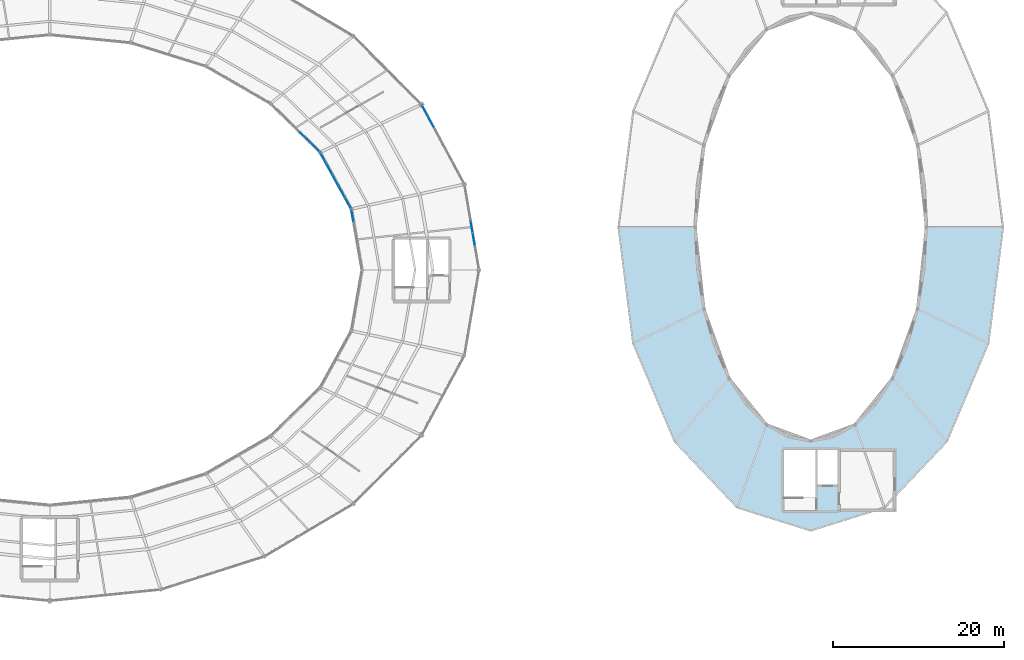
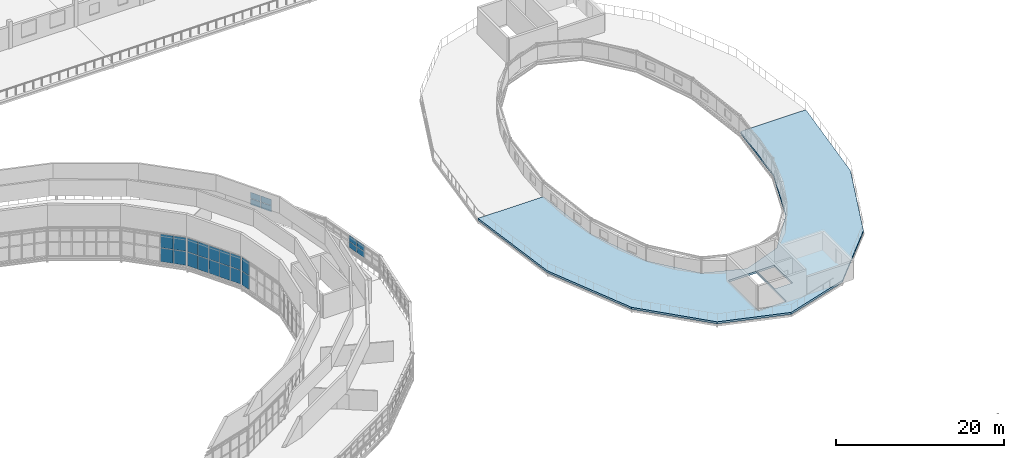
# One storey, part 89 of 123: 24 plates, 1 slab, 5 elements without a shape of their own.
"""IFC4 building model written with IfcOpenShell, lengths in metres."""

from ifc_helpers import new_model, si_unit, direction, frame, origin, origin_2d, place, context, subcontext, project, spatial, polyline, rectangle, outline, extrude, material, layer, layer_set, type_object, element, aggregate, save


model = new_model("IFC4")

# Units and contexts
model_context = context("Model", 3, precision=1e-05, world=origin(), true_north=direction((0.0, 1.0)))
body_context = subcontext(model_context, "Body", "Model", "MODEL_VIEW")
ifc_project = project(units=[si_unit("LENGTHUNIT", "METRE"), si_unit("AREAUNIT", "SQUARE_METRE"), si_unit("VOLUMEUNIT", "CUBIC_METRE"), si_unit("PLANEANGLEUNIT", "RADIAN"), si_unit("MASSUNIT", "GRAM", prefix="KILO")], contexts=[model_context])

# Site, building, storey
site_placement = place(None, origin())
site = spatial("IfcSite", under=ifc_project, at=site_placement, CompositionType="ELEMENT")
building_placement = place(site_placement, origin())
building = spatial("IfcBuilding", under=site, at=building_placement, Name="Kildeholm Park Wholesale Market", CompositionType="ELEMENT")
storey_placement = place(building_placement, frame((0.0, 0.0, 9.60009765625)))
storey = spatial("IfcBuildingStorey", under=building, at=storey_placement, Name="L02", CompositionType="ELEMENT", Elevation=9.60009765625)

# Curtain wall, plates
ifc_material_1 = material(Name="Anodised aluminium and low-E double-glazed glass", Category="aluminium")
curtain_wall_type = type_object("IfcCurtainWallType", Name="Clerestory daylight stick curtain wall CW-02", PredefinedType="NOTDEFINED", material=ifc_material_1)
curtain_wall_1_placement = place(storey_placement, origin())
curtain_wall_1 = element("IfcCurtainWall", 1, at=curtain_wall_1_placement, inside=storey, type_object=curtain_wall_type, Name="Curtain wall CW-V1-IN2-00 CW-0005", PredefinedType="NOTDEFINED")
ifc_material_2 = material(Name="Triple-glazed solar-control glass", Category="glass")
ifc_layer_1 = layer(ifc_material_2, 0.035888671875)
ifc_layer_set_1 = layer_set([ifc_layer_1], Name="Triple-glazed solar-control glass")
plate_type_1 = type_object("IfcPlateType", Name="Curtain-wall panel CWP-2 36 mm", PredefinedType="CURTAIN_PANEL", material=ifc_layer_set_1)
plate_1_placement = place(storey_placement, frame((134.3955078125, 95.8603515625, 0.06005859375), z_axis=(0.0, 0.0, 1.0), x_axis=(-0.172132515628, 0.985073802851, 0.0)))
plate_1 = element("IfcPlate", 2, at=plate_1_placement, type_object=plate_type_1, Name="CW-02 panel 5.1 PLT-0230", PredefinedType="CURTAIN_PANEL", context=body_context, shape_type="SweptSolid", body=[
    extrude(rectangle(XDim=1.339111328125, YDim=0.035888671875, at=origin_2d()), origin(), (0.0, 0.0, 1.0), 1.985107421875),
])
plate_2_placement = place(storey_placement, frame((134.3955078125, 95.8603515625, 2.10498046875), z_axis=(0.0, 0.0, 1.0), x_axis=(-0.172132515628, 0.985073802851, 0.0)))
plate_2 = element("IfcPlate", 3, at=plate_2_placement, type_object=plate_type_1, Name="CW-02 panel 5.2 PLT-0231", PredefinedType="CURTAIN_PANEL", context=body_context, shape_type="SweptSolid", body=[
    extrude(rectangle(XDim=1.339111328125, YDim=0.035888671875, at=origin_2d()), origin(), (0.0, 0.0, 1.0), 1.985107421875),
])
aggregate(curtain_wall_1, [plate_1, plate_2])

curtain_wall_2_placement = place(storey_placement, origin())
curtain_wall_2 = element("IfcCurtainWall", 4, at=curtain_wall_2_placement, inside=storey, type_object=curtain_wall_type, Name="Curtain wall CW-V1-IN2-01 CW-0010", PredefinedType="NOTDEFINED")
plate_3_placement = place(storey_placement, frame((133.875, 97.323486328125, 0.06005859375), z_axis=(0.0, 0.0, 1.0), x_axis=(-0.481749595055, 0.876308922506, 0.0)))
plate_3 = element("IfcPlate", 5, at=plate_3_placement, type_object=plate_type_1, Name="CW-02 panel 1.1 PLT-0282", PredefinedType="CURTAIN_PANEL", context=body_context, shape_type="SweptSolid", body=[
    extrude(rectangle(XDim=1.407958984375, YDim=0.035888671875, at=origin_2d()), origin(), (0.0, 0.0, 1.0), 1.985107421875),
])
plate_4_placement = place(storey_placement, frame((133.875, 97.323486328125, 2.10498046875), z_axis=(0.0, 0.0, 1.0), x_axis=(-0.481749595055, 0.876308922506, 0.0)))
plate_4 = element("IfcPlate", 6, at=plate_4_placement, type_object=plate_type_1, Name="CW-02 panel 1.2 PLT-0283", PredefinedType="CURTAIN_PANEL", context=body_context, shape_type="SweptSolid", body=[
    extrude(rectangle(XDim=1.407958984375, YDim=0.035888671875, at=origin_2d()), origin(), (0.0, 0.0, 1.0), 1.985107421875),
])
plate_5_placement = place(storey_placement, frame((133.16064453125, 98.622802734375, 0.06005859375), z_axis=(0.0, 0.0, 1.0), x_axis=(-0.481749595055, 0.876308922506, 0.0)))
plate_5 = element("IfcPlate", 7, at=plate_5_placement, type_object=plate_type_1, Name="CW-02 panel 2.1 PLT-0284", PredefinedType="CURTAIN_PANEL", context=body_context, shape_type="SweptSolid", body=[
    extrude(rectangle(XDim=1.43798828125, YDim=0.035888671875, at=origin_2d()), origin(), (0.0, 0.0, 1.0), 1.985107421875),
])
plate_6_placement = place(storey_placement, frame((133.16064453125, 98.622802734375, 2.10498046875), z_axis=(0.0, 0.0, 1.0), x_axis=(-0.481749595055, 0.876308922506, 0.0)))
plate_6 = element("IfcPlate", 8, at=plate_6_placement, type_object=plate_type_1, Name="CW-02 panel 2.2 PLT-0285", PredefinedType="CURTAIN_PANEL", context=body_context, shape_type="SweptSolid", body=[
    extrude(rectangle(XDim=1.43798828125, YDim=0.035888671875, at=origin_2d()), origin(), (0.0, 0.0, 1.0), 1.985107421875),
])
plate_7_placement = place(storey_placement, frame((132.43896484375, 99.935546875, 0.06005859375), z_axis=(0.0, 0.0, 1.0), x_axis=(-0.481749595055, 0.876308922506, 0.0)))
plate_7 = element("IfcPlate", 9, at=plate_7_placement, type_object=plate_type_1, Name="CW-02 panel 3.1 PLT-0286", PredefinedType="CURTAIN_PANEL", context=body_context, shape_type="SweptSolid", body=[
    extrude(rectangle(XDim=1.43798828125, YDim=0.035888671875, at=origin_2d()), origin(), (0.0, 0.0, 1.0), 1.985107421875),
])
plate_8_placement = place(storey_placement, frame((132.43896484375, 99.935546875, 2.10498046875), z_axis=(0.0, 0.0, 1.0), x_axis=(-0.481749595055, 0.876308922506, 0.0)))
plate_8 = element("IfcPlate", 10, at=plate_8_placement, type_object=plate_type_1, Name="CW-02 panel 3.2 PLT-0287", PredefinedType="CURTAIN_PANEL", context=body_context, shape_type="SweptSolid", body=[
    extrude(rectangle(XDim=1.43798828125, YDim=0.035888671875, at=origin_2d()), origin(), (0.0, 0.0, 1.0), 1.985107421875),
])
plate_9_placement = place(storey_placement, frame((131.71728515625, 101.248046875, 0.06005859375), z_axis=(0.0, 0.0, 1.0), x_axis=(-0.481749595055, 0.876308922506, 0.0)))
plate_9 = element("IfcPlate", 11, at=plate_9_placement, type_object=plate_type_1, Name="CW-02 panel 4.1 PLT-0288", PredefinedType="CURTAIN_PANEL", context=body_context, shape_type="SweptSolid", body=[
    extrude(rectangle(XDim=1.43798828125, YDim=0.035888671875, at=origin_2d()), origin(), (0.0, 0.0, 1.0), 1.985107421875),
])
plate_10_placement = place(storey_placement, frame((131.71728515625, 101.248046875, 2.10498046875), z_axis=(0.0, 0.0, 1.0), x_axis=(-0.481749595055, 0.876308922506, 0.0)))
plate_10 = element("IfcPlate", 12, at=plate_10_placement, type_object=plate_type_1, Name="CW-02 panel 4.2 PLT-0289", PredefinedType="CURTAIN_PANEL", context=body_context, shape_type="SweptSolid", body=[
    extrude(rectangle(XDim=1.43798828125, YDim=0.035888671875, at=origin_2d()), origin(), (0.0, 0.0, 1.0), 1.985107421875),
])
plate_11_placement = place(storey_placement, frame((131.0029296875, 102.547607421875, 0.06005859375), z_axis=(0.0, 0.0, 1.0), x_axis=(-0.481749595055, 0.876308922506, 0.0)))
plate_11 = element("IfcPlate", 13, at=plate_11_placement, type_object=plate_type_1, Name="CW-02 panel 5.1 PLT-0290", PredefinedType="CURTAIN_PANEL", context=body_context, shape_type="SweptSolid", body=[
    extrude(rectangle(XDim=1.407958984375, YDim=0.035888671875, at=origin_2d()), origin(), (0.0, 0.0, 1.0), 1.985107421875),
])
plate_12_placement = place(storey_placement, frame((131.0029296875, 102.547607421875, 2.10498046875), z_axis=(0.0, 0.0, 1.0), x_axis=(-0.481749595055, 0.876308922506, 0.0)))
plate_12 = element("IfcPlate", 14, at=plate_12_placement, type_object=plate_type_1, Name="CW-02 panel 5.2 PLT-0291", PredefinedType="CURTAIN_PANEL", context=body_context, shape_type="SweptSolid", body=[
    extrude(rectangle(XDim=1.407958984375, YDim=0.035888671875, at=origin_2d()), origin(), (0.0, 0.0, 1.0), 1.985107421875),
])
aggregate(curtain_wall_2, [plate_3, plate_4, plate_5, plate_6, plate_7, plate_8, plate_9, plate_10, plate_11, plate_12])

curtain_wall_3_placement = place(storey_placement, origin())
curtain_wall_3 = element("IfcCurtainWall", 15, at=curtain_wall_3_placement, inside=storey, type_object=curtain_wall_type, Name="Curtain wall CW-V1-IN2-02 CW-0015", PredefinedType="NOTDEFINED")
plate_13_placement = place(storey_placement, frame((130.0009765625, 103.85546875, 0.06005859375), z_axis=(0.0, 0.0, 1.0), x_axis=(-0.713537995789, 0.700616534607, 0.0)))
plate_13 = element("IfcPlate", 16, at=plate_13_placement, type_object=plate_type_1, Name="CW-02 panel 1.1 PLT-0344", PredefinedType="CURTAIN_PANEL", context=body_context, shape_type="SweptSolid", body=[
    extrude(rectangle(XDim=1.519775390625, YDim=0.035888671875, at=origin_2d()), origin(), (0.0, 0.0, 1.0), 1.985107421875),
])
plate_14_placement = place(storey_placement, frame((130.0009765625, 103.85546875, 2.10498046875), z_axis=(0.0, 0.0, 1.0), x_axis=(-0.713537995789, 0.700616534607, 0.0)))
plate_14 = element("IfcPlate", 17, at=plate_14_placement, type_object=plate_type_1, Name="CW-02 panel 1.2 PLT-0345", PredefinedType="CURTAIN_PANEL", context=body_context, shape_type="SweptSolid", body=[
    extrude(rectangle(XDim=1.519775390625, YDim=0.035888671875, at=origin_2d()), origin(), (0.0, 0.0, 1.0), 1.985107421875),
])
plate_15_placement = place(storey_placement, frame((128.863037109375, 104.97265625, 0.06005859375), z_axis=(0.0, 0.0, 1.0), x_axis=(-0.713537995789, 0.700616534607, 0.0)))
plate_15 = element("IfcPlate", 18, at=plate_15_placement, type_object=plate_type_1, Name="CW-02 panel 2.1 PLT-0346", PredefinedType="CURTAIN_PANEL", context=body_context, shape_type="SweptSolid", body=[
    extrude(rectangle(XDim=1.5498046875, YDim=0.035888671875, at=origin_2d()), origin(), (0.0, 0.0, 1.0), 1.985107421875),
])
plate_16_placement = place(storey_placement, frame((128.863037109375, 104.97265625, 2.10498046875), z_axis=(0.0, 0.0, 1.0), x_axis=(-0.713537995789, 0.700616534607, 0.0)))
plate_16 = element("IfcPlate", 19, at=plate_16_placement, type_object=plate_type_1, Name="CW-02 panel 2.2 PLT-0347", PredefinedType="CURTAIN_PANEL", context=body_context, shape_type="SweptSolid", body=[
    extrude(rectangle(XDim=1.5498046875, YDim=0.035888671875, at=origin_2d()), origin(), (0.0, 0.0, 1.0), 1.985107421875),
])
aggregate(curtain_wall_3, [plate_13, plate_14, plate_15, plate_16])

curtain_wall_4_placement = place(storey_placement, origin())
curtain_wall_4 = element("IfcCurtainWall", 20, at=curtain_wall_4_placement, inside=storey, type_object=curtain_wall_type, Name="Curtain wall CW-V1-CL-00 CW-0002", PredefinedType="NOTDEFINED")
ifc_material_3 = material(Name="Fritted solar-control clerestory glass", Category="glass")
ifc_layer_2 = layer(ifc_material_3, 0.031982421875)
ifc_layer_set_2 = layer_set([ifc_layer_2], Name="Fritted solar-control clerestory glass")
plate_type_2 = type_object("IfcPlateType", Name="Curtain-wall panel CWP-4 32 mm", PredefinedType="CURTAIN_PANEL", material=ifc_layer_set_2)
plate_17_placement = place(storey_placement, frame((148.593994140625, 93.08935546875, 1.40966796875), z_axis=(0.0, 0.0, 1.0), x_axis=(-0.168322320564, 0.985732010437, 0.0)))
plate_17 = element("IfcPlate", 21, at=plate_17_placement, type_object=plate_type_2, Name="CW-02 panel 3.1 PLT-0192", PredefinedType="CURTAIN_PANEL", context=body_context, shape_type="SweptSolid", body=[
    extrude(rectangle(XDim=1.38037109375, YDim=0.031982421875, at=origin_2d()), origin(), (0.0, 0.0, 1.0), 0.860107421875),
])
plate_18_placement = place(storey_placement, frame((148.593994140625, 93.08935546875, 2.330078125), z_axis=(0.0, 0.0, 1.0), x_axis=(-0.168322320564, 0.985732010437, 0.0)))
plate_18 = element("IfcPlate", 22, at=plate_18_placement, type_object=plate_type_2, Name="CW-02 panel 3.2 PLT-0193", PredefinedType="CURTAIN_PANEL", context=body_context, shape_type="SweptSolid", body=[
    extrude(rectangle(XDim=1.38037109375, YDim=0.031982421875, at=origin_2d()), origin(), (0.0, 0.0, 1.0), 0.860107421875),
])
plate_19_placement = place(storey_placement, frame((148.3515625, 94.509033203125, 1.40966796875), z_axis=(0.0, 0.0, 1.0), x_axis=(-0.168322320564, 0.985732010437, 0.0)))
plate_19 = element("IfcPlate", 23, at=plate_19_placement, type_object=plate_type_2, Name="CW-02 panel 4.1 PLT-0194", PredefinedType="CURTAIN_PANEL", context=body_context, shape_type="SweptSolid", body=[
    extrude(rectangle(XDim=1.38037109375, YDim=0.031982421875, at=origin_2d()), origin(), (0.0, 0.0, 1.0), 0.860107421875),
])
plate_20_placement = place(storey_placement, frame((148.3515625, 94.509033203125, 2.330078125), z_axis=(0.0, 0.0, 1.0), x_axis=(-0.168322320564, 0.985732010437, 0.0)))
plate_20 = element("IfcPlate", 24, at=plate_20_placement, type_object=plate_type_2, Name="CW-02 panel 4.2 PLT-0195", PredefinedType="CURTAIN_PANEL", context=body_context, shape_type="SweptSolid", body=[
    extrude(rectangle(XDim=1.38037109375, YDim=0.031982421875, at=origin_2d()), origin(), (0.0, 0.0, 1.0), 0.860107421875),
])
aggregate(curtain_wall_4, [plate_17, plate_18, plate_19, plate_20])

curtain_wall_5_placement = place(storey_placement, origin())
curtain_wall_5 = element("IfcCurtainWall", 25, at=curtain_wall_5_placement, inside=storey, type_object=curtain_wall_type, Name="Curtain wall CW-V1-CL-01 CW-0007", PredefinedType="NOTDEFINED")
plate_21_placement = place(storey_placement, frame((143.565673828125, 106.831787109375, 1.40966796875), z_axis=(0.0, 0.0, 1.0), x_axis=(-0.473339828092, 0.880879905062, 0.0)))
plate_21 = element("IfcPlate", 26, at=plate_21_placement, type_object=plate_type_2, Name="CW-02 panel 6.1 PLT-0258", PredefinedType="CURTAIN_PANEL", context=body_context, shape_type="SweptSolid", body=[
    extrude(rectangle(XDim=1.4423828125, YDim=0.031982421875, at=origin_2d()), origin(), (0.0, 0.0, 1.0), 0.860107421875),
])
plate_22_placement = place(storey_placement, frame((143.565673828125, 106.831787109375, 2.330078125), z_axis=(0.0, 0.0, 1.0), x_axis=(-0.473339828092, 0.880879905062, 0.0)))
plate_22 = element("IfcPlate", 27, at=plate_22_placement, type_object=plate_type_2, Name="CW-02 panel 6.2 PLT-0259", PredefinedType="CURTAIN_PANEL", context=body_context, shape_type="SweptSolid", body=[
    extrude(rectangle(XDim=1.4423828125, YDim=0.031982421875, at=origin_2d()), origin(), (0.0, 0.0, 1.0), 0.860107421875),
])
plate_23_placement = place(storey_placement, frame((142.861572265625, 108.14208984375, 1.40966796875), z_axis=(0.0, 0.0, 1.0), x_axis=(-0.473339828092, 0.880879905062, 0.0)))
plate_23 = element("IfcPlate", 28, at=plate_23_placement, type_object=plate_type_2, Name="CW-02 panel 7.1 PLT-0260", PredefinedType="CURTAIN_PANEL", context=body_context, shape_type="SweptSolid", body=[
    extrude(rectangle(XDim=1.412353515625, YDim=0.031982421875, at=origin_2d()), origin(), (0.0, 0.0, 1.0), 0.860107421875),
])
plate_24_placement = place(storey_placement, frame((142.861572265625, 108.14208984375, 2.330078125), z_axis=(0.0, 0.0, 1.0), x_axis=(-0.473339828092, 0.880879905062, 0.0)))
plate_24 = element("IfcPlate", 29, at=plate_24_placement, type_object=plate_type_2, Name="CW-02 panel 7.2 PLT-0261", PredefinedType="CURTAIN_PANEL", context=body_context, shape_type="SweptSolid", body=[
    extrude(rectangle(XDim=1.412353515625, YDim=0.031982421875, at=origin_2d()), origin(), (0.0, 0.0, 1.0), 0.860107421875),
])
aggregate(curtain_wall_5, [plate_21, plate_22, plate_23, plate_24])

# Slab
ifc_material_4 = material(Name="Concrete C40/50", Category="concrete")
ifc_layer_3 = layer(ifc_material_4, 0.2900390625)
ifc_layer_set_3 = layer_set([ifc_layer_3], Name="Concrete C40/50")
slab_type = type_object("IfcSlabType", Name="Slab S-TR1 290 mm", PredefinedType="ROOF", material=ifc_layer_set_3)
slab_placement = place(storey_placement, frame((0.0, 0.0, -0.2900390625)))
element("IfcSlab", 30, at=slab_placement, inside=storey, type_object=slab_type, Name="Oval hall planted roof garden slab S SLB-0306", PredefinedType="ROOF", context=body_context, shape_type="SweptSolid", body=[
    extrude(outline(polyline([(174.5, 94.5), (175.528076171875, 84.93310546875), (178.4541015625, 76.822021484375), (182.833984375, 71.403076171875), (188.0, 69.5), (193.166015625, 71.403076171875), (197.5458984375, 76.822021484375), (200.471923828125, 84.93310546875), (201.5, 94.5), (210.5, 94.5), (208.787109375, 80.9150390625), (203.909912109375, 69.39794921875), (196.610107421875, 61.701904296875), (188.0, 59.0), (179.389892578125, 61.701904296875), (172.090087890625, 69.39794921875), (167.212890625, 80.9150390625), (165.5, 94.5), (174.5, 94.5)]), holes=[polyline([(188.679931640625, 68.47998046875), (184.820068359375, 68.47998046875), (184.820068359375, 61.320068359375), (188.679931640625, 61.320068359375), (188.679931640625, 68.47998046875)]), polyline([(191.179931640625, 64.219970703125), (191.179931640625, 68.47998046875), (188.780029296875, 68.47998046875), (188.780029296875, 64.219970703125), (191.179931640625, 64.219970703125)])]), origin(), (0.0, 0.0, 1.0), 0.2900390625),
])

save(model, "model.ifc")
